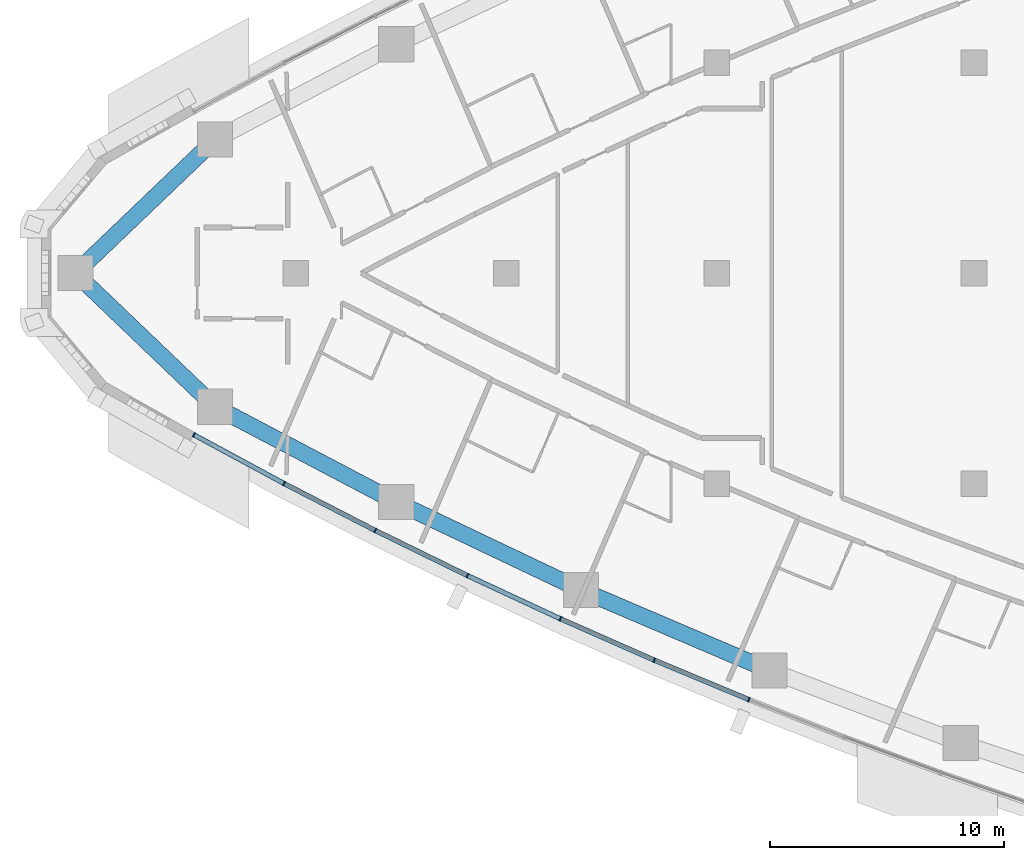
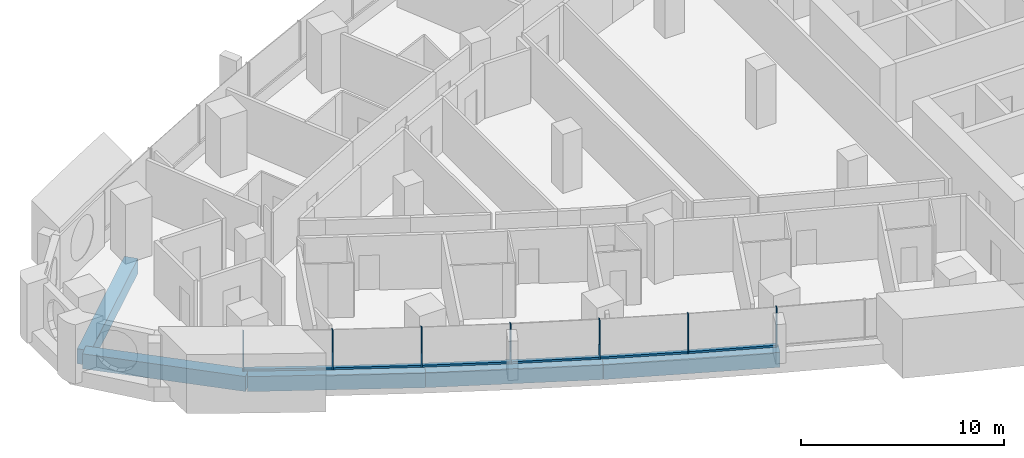
# One storey, part 2 of 17: 13 members, 5 beams, 3 elements without a shape of their own.
"""IFC4 building model written with IfcOpenShell, lengths in metres."""

from ifc_helpers import new_model, si_unit, direction, frame, origin, origin_2d, place, context, subcontext, project, spatial, rectangle, extrude, material, layer, layer_set, material_profile, profile_set, type_object, element, aggregate, save


model = new_model("IFC4")

# Units and contexts
model_context = context("Model", 3, precision=1e-05, world=origin(), true_north=direction((0.0, 1.0)))
body_context = subcontext(model_context, "Body", "Model", "MODEL_VIEW")
ifc_project = project(units=[si_unit("LENGTHUNIT", "METRE"), si_unit("AREAUNIT", "SQUARE_METRE"), si_unit("VOLUMEUNIT", "CUBIC_METRE"), si_unit("PLANEANGLEUNIT", "RADIAN"), si_unit("MASSUNIT", "GRAM", prefix="KILO")], contexts=[model_context])

# Site, building, storey
site_placement = place(None, origin())
site = spatial("IfcSite", under=ifc_project, at=site_placement, CompositionType="ELEMENT")
building_placement = place(site_placement, origin())
building = spatial("IfcBuilding", under=site, at=building_placement, Name="Ostrand Prow Hotel Tower", CompositionType="ELEMENT")
storey_placement = place(building_placement, frame((0.0, 0.0, 140.85009765625)))
storey = spatial("IfcBuildingStorey", under=building, at=storey_placement, Name="L34", CompositionType="ELEMENT", Elevation=140.85009765625)

# Beams
ifc_material_1 = material(Name="Concrete C70/85", Category="concrete")
ifc_material_profile_1 = material_profile(ifc_material_1, rectangle(XDim=0.699951171875, YDim=0.89990234375, at=origin_2d()), Name="RC 700x900")
ifc_profile_set_1 = profile_set([ifc_material_profile_1], Name="Concrete C70/85")
beam_type = type_object("IfcBeamType", Name="Edge beam 700x900 C70/85", PredefinedType="SPANDREL", material=ifc_profile_set_1)
beam_1_placement = place(storey_placement, frame((6.580078125, 0.0, -0.75), z_axis=(0.722689968521, -0.691172344209, 0.0), x_axis=(0.691172344209, 0.722689968521, 0.0)))
element("IfcBeam", 1, at=beam_1_placement, inside=storey, type_object=beam_type, Name="Edge beam P-S1", PredefinedType="SPANDREL", context=body_context, shape_type="SweptSolid", body=[
    extrude(rectangle(XDim=0.699951171875, YDim=0.89990234375, at=origin_2d()), origin(), (0.0, 0.0, 1.0), 8.26513671875),
])
for number, where, z_axis, x_axis, name in (
    (2, (12.55322265625, -5.712646484375, -0.75), (0.885016215308, -0.465560198731, 0.0), (0.465560198731, 0.885016215308, 0.0), "Edge beam S1-S2"),
    (3, (20.300048828125, -9.787841796875, -0.75), (0.903083113352, -0.429465819803, 0.0), (0.429465819803, 0.903083113352, 0.0), "Edge beam S2-S3"),
    (4, (28.205078125, -13.547119140625, -0.75), (0.919700966994, -0.392619575811, 0.0), (0.392619575811, 0.919700966994, 0.0), "Edge beam S3-S4"),
):
    element("IfcBeam", number, at=place(storey_placement, frame(where, z_axis=z_axis, x_axis=x_axis)), inside=storey, type_object=beam_type, Name=name, PredefinedType="SPANDREL", context=body_context, shape_type="SweptSolid", body=[
        extrude(rectangle(XDim=0.699951171875, YDim=0.89990234375, at=origin_2d()), origin(), (0.0, 0.0, 1.0), 8.75341796875),
    ])
beam_2_placement = place(storey_placement, frame((12.55322265625, 5.712646484375, -0.75), z_axis=(-0.722689968521, -0.691172344209, 0.0), x_axis=(0.691172344209, -0.722689968521, 0.0)))
element("IfcBeam", 5, at=beam_2_placement, inside=storey, type_object=beam_type, Name="Edge beam N6-P", PredefinedType="SPANDREL", context=body_context, shape_type="SweptSolid", body=[
    extrude(rectangle(XDim=0.699951171875, YDim=0.89990234375, at=origin_2d()), origin(), (0.0, 0.0, 1.0), 8.26513671875),
])

# Curtain wall, members
ifc_material_2 = material(Name="Insulated glass in bronze anodised frame", Category="glass")
ifc_layer = layer(ifc_material_2, 0.199951171875)
ifc_layer_set = layer_set([ifc_layer], Name="Insulated glass in bronze anodised frame")
curtain_wall_type = type_object("IfcCurtainWallType", Name="Strip curtain wall, fritted glass over bronze spandrel", PredefinedType="NOTDEFINED", material=ifc_layer_set)
curtain_wall_1_placement = place(storey_placement, origin())
curtain_wall_1 = element("IfcCurtainWall", 6, at=curtain_wall_1_placement, inside=storey, type_object=curtain_wall_type, Name="CW1 run CWS1", PredefinedType="NOTDEFINED")
ifc_material_3 = material(Name="Bronze anodised aluminium", Category="aluminium")
ifc_material_profile_2 = material_profile(ifc_material_3, rectangle(XDim=0.199951171875, YDim=0.06005859375, at=origin_2d()), Name="Mullion 60x200 bronze anodised aluminium")
ifc_profile_set_2 = profile_set([ifc_material_profile_2], Name="Bronze anodised aluminium")
member_type_1 = type_object("IfcMemberType", Name="Mullion 60x200 bronze anodised aluminium", PredefinedType="MULLION", material=ifc_profile_set_2)
member_1_placement = place(storey_placement, frame((11.64306640625, -6.909423828125, 0.89990234375), z_axis=(0.0, 0.0, 1.0), x_axis=(0.475393901316, 0.879773060847, 0.0)))
member_1 = element("IfcMember", 7, at=member_1_placement, type_object=member_type_1, Name="CW1 mullion 1", PredefinedType="MULLION", context=body_context, shape_type="SweptSolid", body=[
    extrude(rectangle(XDim=0.199951171875, YDim=0.06005859375, at=origin_2d()), origin(), (0.0, 0.0, 1.0), 2.35009765625),
])
member_2_placement = place(storey_placement, frame((15.501708984375, -8.99462890625, 0.89990234375), z_axis=(0.0, 0.0, 1.0), x_axis=(0.457619429434, 0.889148164146, 0.0)))
member_2 = element("IfcMember", 8, at=member_2_placement, type_object=member_type_1, Name="CW1 mullion 2", PredefinedType="MULLION", context=body_context, shape_type="SweptSolid", body=[
    extrude(rectangle(XDim=0.199951171875, YDim=0.06005859375, at=origin_2d()), origin(), (0.0, 0.0, 1.0), 2.35009765625),
])
member_3_placement = place(storey_placement, frame((19.401611328125, -11.001708984375, 0.89990234375), z_axis=(0.0, 0.0, 1.0), x_axis=(0.457619429434, 0.889148164146, 0.0)))
member_3 = element("IfcMember", 9, at=member_3_placement, type_object=member_type_1, Name="CW1 mullion 3", PredefinedType="MULLION", context=body_context, shape_type="SweptSolid", body=[
    extrude(rectangle(XDim=0.199951171875, YDim=0.06005859375, at=origin_2d()), origin(), (0.0, 0.0, 1.0), 2.35009765625),
])

curtain_wall_2_placement = place(storey_placement, origin())
curtain_wall_2 = element("IfcCurtainWall", 10, at=curtain_wall_2_placement, inside=storey, type_object=curtain_wall_type, Name="CW1 run CWS2", PredefinedType="NOTDEFINED")
member_4_placement = place(storey_placement, frame((23.341064453125, -12.93017578125, 0.89990234375), z_axis=(0.0, 0.0, 1.0), x_axis=(0.421521761673, 0.906818286337, 0.0)))
member_4 = element("IfcMember", 11, at=member_4_placement, type_object=member_type_1, Name="CW1 mullion 2", PredefinedType="MULLION", context=body_context, shape_type="SweptSolid", body=[
    extrude(rectangle(XDim=0.199951171875, YDim=0.06005859375, at=origin_2d()), origin(), (0.0, 0.0, 1.0), 2.35009765625),
])
member_5_placement = place(storey_placement, frame((27.318359375, -14.77880859375, 0.89990234375), z_axis=(0.0, 0.0, 1.0), x_axis=(0.421521761673, 0.906818286337, 0.0)))
member_5 = element("IfcMember", 12, at=member_5_placement, type_object=member_type_1, Name="CW1 mullion 3", PredefinedType="MULLION", context=body_context, shape_type="SweptSolid", body=[
    extrude(rectangle(XDim=0.199951171875, YDim=0.06005859375, at=origin_2d()), origin(), (0.0, 0.0, 1.0), 2.35009765625),
])

curtain_wall_3_placement = place(storey_placement, origin())
curtain_wall_3 = element("IfcCurtainWall", 13, at=curtain_wall_3_placement, inside=storey, type_object=curtain_wall_type, Name="CW1 run CWS3", PredefinedType="NOTDEFINED")
member_6_placement = place(storey_placement, frame((31.332275390625, -16.54736328125, 0.89990234375), z_axis=(0.0, 0.0, 1.0), x_axis=(0.384743220418, 0.92302364777, 0.0)))
member_6 = element("IfcMember", 14, at=member_6_placement, type_object=member_type_1, Name="CW1 mullion 2", PredefinedType="MULLION", context=body_context, shape_type="SweptSolid", body=[
    extrude(rectangle(XDim=0.199951171875, YDim=0.06005859375, at=origin_2d()), origin(), (0.0, 0.0, 1.0), 2.35009765625),
])
member_7_placement = place(storey_placement, frame((35.380615234375, -18.235107421875, 0.89990234375), z_axis=(0.0, 0.0, 1.0), x_axis=(0.384743220418, 0.92302364777, 0.0)))
member_7 = element("IfcMember", 15, at=member_7_placement, type_object=member_type_1, Name="CW1 mullion 3", PredefinedType="MULLION", context=body_context, shape_type="SweptSolid", body=[
    extrude(rectangle(XDim=0.199951171875, YDim=0.06005859375, at=origin_2d()), origin(), (0.0, 0.0, 1.0), 2.35009765625),
])

# Member
ifc_material_4 = material(Name="Bronze anodised aluminium", Category="aluminium")
ifc_material_profile_3 = material_profile(ifc_material_4, rectangle(XDim=0.199951171875, YDim=0.1201171875, at=origin_2d()), Name="Transom 120x200 bronze anodised aluminium")
ifc_profile_set_3 = profile_set([ifc_material_profile_3], Name="Bronze anodised aluminium")
member_type_2 = type_object("IfcMemberType", Name="Transom 120x200 bronze anodised aluminium", PredefinedType="USERDEFINED", material=ifc_profile_set_3)
member_8_placement = place(storey_placement, frame((11.66943359375, -6.923583984375, 0.9599609375), z_axis=(0.879765206929, -0.475408435639, 0.0), x_axis=(0.475408435639, 0.879765206929, 0.0)))
member_8 = element("IfcMember", 16, at=member_8_placement, type_object=member_type_2, Name="CW1 transom 1.1", ObjectType="TRANSOM", PredefinedType="USERDEFINED", context=body_context, shape_type="SweptSolid", body=[
    extrude(rectangle(XDim=0.199951171875, YDim=0.1201171875, at=origin_2d()), origin(), (0.0, 0.0, 1.0), 4.326171875),
])

member_9_placement = place(storey_placement, frame((15.528564453125, -9.00830078125, 0.9599609375), z_axis=(0.88914020052, -0.457634902318, 0.0), x_axis=(0.457634902318, 0.88914020052, 0.0)))
member_9 = element("IfcMember", 17, at=member_9_placement, type_object=member_type_2, Name="CW1 transom 2.1", ObjectType="TRANSOM", PredefinedType="USERDEFINED", context=body_context, shape_type="SweptSolid", body=[
    extrude(rectangle(XDim=0.199951171875, YDim=0.1201171875, at=origin_2d()), origin(), (0.0, 0.0, 1.0), 4.325927734375),
])

aggregate(curtain_wall_1, [member_1, member_2, member_3, member_8, member_9])

member_10_placement = place(storey_placement, frame((19.4287109375, -11.014892578125, 0.9599609375), z_axis=(0.89815413626, -0.439680733623, 0.0), x_axis=(0.439680733623, 0.89815413626, 0.0)))
member_10 = element("IfcMember", 18, at=member_10_placement, type_object=member_type_2, Name="CW1 transom 1.1", ObjectType="TRANSOM", PredefinedType="USERDEFINED", context=body_context, shape_type="SweptSolid", body=[
    extrude(rectangle(XDim=0.199951171875, YDim=0.1201171875, at=origin_2d()), origin(), (0.0, 0.0, 1.0), 4.326171875),
])

member_11_placement = place(storey_placement, frame((23.368408203125, -12.942626953125, 0.9599609375), z_axis=(0.906796377468, -0.421568890944, 0.0), x_axis=(0.421568890944, 0.906796377468, 0.0)))
member_11 = element("IfcMember", 19, at=member_11_placement, type_object=member_type_2, Name="CW1 transom 2.1", ObjectType="TRANSOM", PredefinedType="USERDEFINED", context=body_context, shape_type="SweptSolid", body=[
    extrude(rectangle(XDim=0.199951171875, YDim=0.1201171875, at=origin_2d()), origin(), (0.0, 0.0, 1.0), 4.326171875),
])

aggregate(curtain_wall_2, [member_4, member_5, member_10, member_11])

member_12_placement = place(storey_placement, frame((27.345947265625, -14.791015625, 0.9599609375), z_axis=(0.91509853977, -0.403230284715, 0.0), x_axis=(0.403230284715, 0.91509853977, 0.0)))
member_12 = element("IfcMember", 20, at=member_12_placement, type_object=member_type_2, Name="CW1 transom 1.1", ObjectType="TRANSOM", PredefinedType="USERDEFINED", context=body_context, shape_type="SweptSolid", body=[
    extrude(rectangle(XDim=0.199951171875, YDim=0.1201171875, at=origin_2d()), origin(), (0.0, 0.0, 1.0), 4.325927734375),
])

member_13_placement = place(storey_placement, frame((31.35986328125, -16.55908203125, 0.9599609375), z_axis=(0.923028493412, -0.384731595206, 0.0), x_axis=(0.384731595206, 0.923028493412, 0.0)))
member_13 = element("IfcMember", 21, at=member_13_placement, type_object=member_type_2, Name="CW1 transom 2.1", ObjectType="TRANSOM", PredefinedType="USERDEFINED", context=body_context, shape_type="SweptSolid", body=[
    extrude(rectangle(XDim=0.199951171875, YDim=0.1201171875, at=origin_2d()), origin(), (0.0, 0.0, 1.0), 4.325927734375),
])

aggregate(curtain_wall_3, [member_6, member_7, member_12, member_13])

save(model, "model.ifc")
